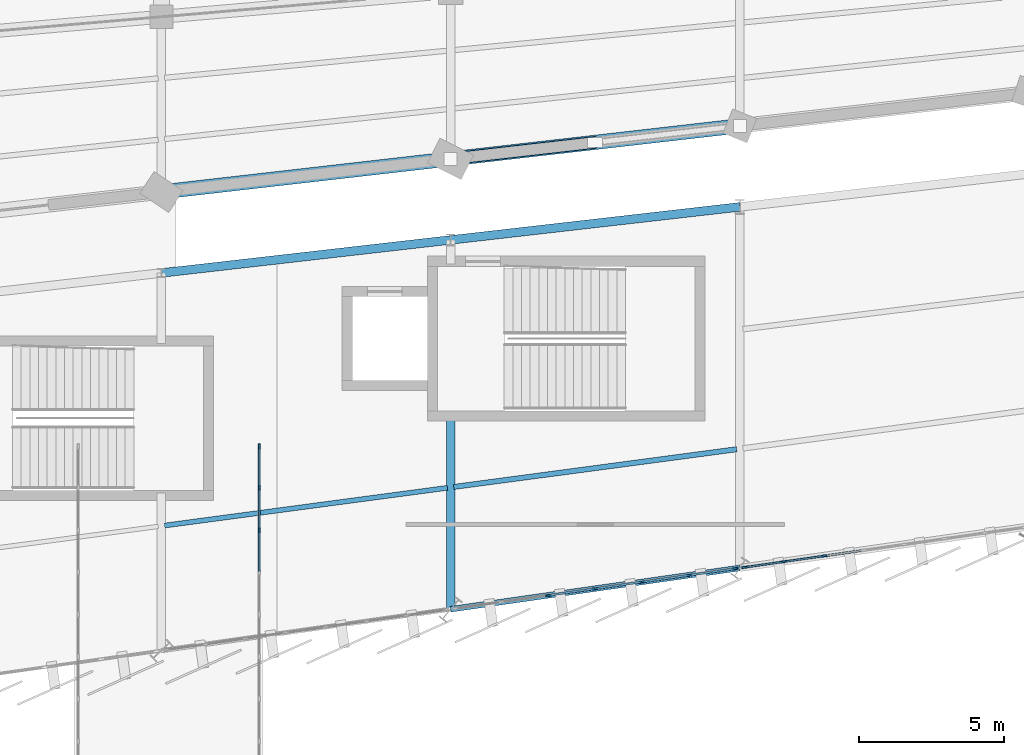
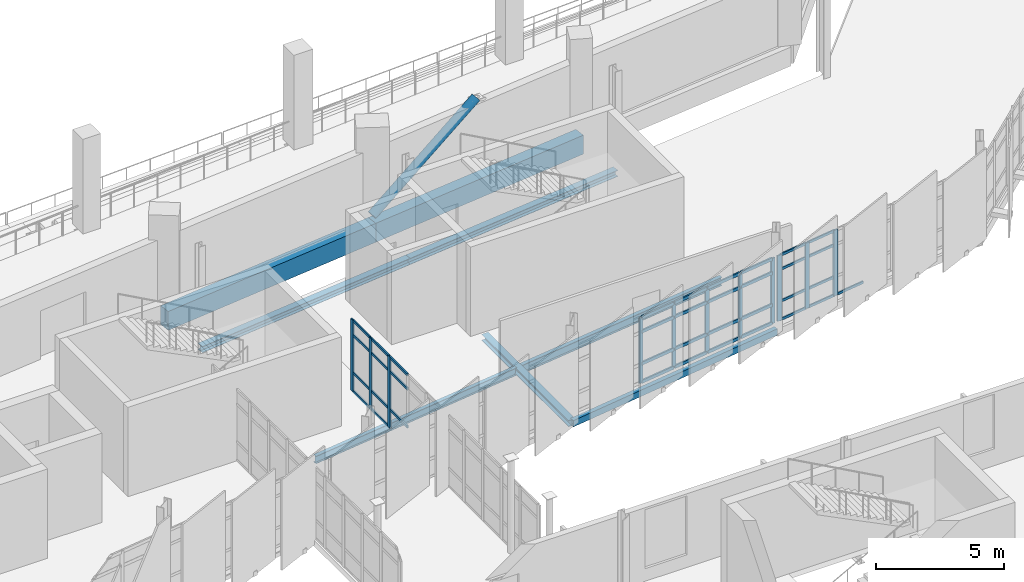
# One storey, part 63 of 134: 48 members, 8 beams, 3 elements without a shape of their own.
"""IFC4 building model written with IfcOpenShell, lengths in metres."""

from ifc_helpers import new_model, si_unit, direction, frame, origin, origin_2d, place, context, subcontext, project, spatial, rectangle, hollow_rectangle, hollow_circle, i_section, extrude, material, layer, layer_set, material_profile, profile_set, type_object, element, aggregate, save


model = new_model("IFC4")

# Units and contexts
model_context = context("Model", 3, precision=1e-05, world=origin(), true_north=direction((0.0, 1.0)))
body_context = subcontext(model_context, "Body", "Model", "MODEL_VIEW")
ifc_project = project(units=[si_unit("LENGTHUNIT", "METRE"), si_unit("AREAUNIT", "SQUARE_METRE"), si_unit("VOLUMEUNIT", "CUBIC_METRE"), si_unit("PLANEANGLEUNIT", "RADIAN"), si_unit("MASSUNIT", "GRAM", prefix="KILO")], contexts=[model_context])

# Site, building, storey
site_placement = place(None, origin())
site = spatial("IfcSite", under=ifc_project, at=site_placement, CompositionType="ELEMENT")
building_placement = place(site_placement, origin())
building = spatial("IfcBuilding", under=site, at=building_placement, Name="Sohan Crest Arena", CompositionType="ELEMENT")
storey_placement = place(building_placement, frame((0.0, 0.0, 4.5)))
storey = spatial("IfcBuildingStorey", under=building, at=storey_placement, Name="L01", CompositionType="ELEMENT", Elevation=4.5)

# Curtain wall, members
ifc_material_1 = material(Name="Thermally broken anodised aluminium", Category="aluminium")
ifc_layer_1 = layer(ifc_material_1, 0.2099609375, Name="Thermally broken anodised aluminium")
ifc_layer_set_1 = layer_set([ifc_layer_1], Name="Thermally broken anodised aluminium")
curtain_wall_type_1 = type_object("IfcCurtainWallType", Name="ARC-CW06", PredefinedType="NOTDEFINED", material=ifc_layer_set_1)
curtain_wall_1_placement = place(storey_placement, origin())
curtain_wall_1 = element("IfcCurtainWall", 1, at=curtain_wall_1_placement, inside=storey, type_object=curtain_wall_type_1, Name="Unitised curtain wall CW-035", PredefinedType="NOTDEFINED")
ifc_material_profile_1 = material_profile(ifc_material_1, rectangle(XDim=0.06494140625, YDim=0.179931640625, at=origin_2d()), Name="ALU-MULL 65x180")
ifc_profile_set_1 = profile_set([ifc_material_profile_1], Name="Thermally broken anodised aluminium")
member_type_1 = type_object("IfcMemberType", Name="ARC-CW-ML02", PredefinedType="MULLION", material=ifc_profile_set_1)
member_1_placement = place(storey_placement, frame((151.376220703125, 37.625, 0.0), z_axis=(0.0, 0.0, 1.0), x_axis=(-0.141449808729, 0.989945428602, 0.0)))
member_1 = element("IfcMember", 2, at=member_1_placement, type_object=member_type_1, Name="CW-035 mullion 3", PredefinedType="MULLION", context=body_context, shape_type="SweptSolid", body=[
    extrude(rectangle(XDim=0.06494140625, YDim=0.179931640625, at=origin_2d()), origin(), (0.0, 0.0, 1.0), 3.1201171875),
])
member_2_placement = place(storey_placement, frame((153.0, 37.85693359375, 0.0), z_axis=(0.0, 0.0, 1.0), x_axis=(-0.141449808729, 0.989945428602, 0.0)))
member_2 = element("IfcMember", 3, at=member_2_placement, type_object=member_type_1, Name="CW-035 mullion 4", PredefinedType="MULLION", context=body_context, shape_type="SweptSolid", body=[
    extrude(rectangle(XDim=0.06494140625, YDim=0.179931640625, at=origin_2d()), origin(), (0.0, 0.0, 1.0), 3.1201171875),
])
member_3_placement = place(storey_placement, frame((154.623779296875, 38.089111328125, 0.0), z_axis=(0.0, 0.0, 1.0), x_axis=(-0.141449808729, 0.989945428602, 0.0)))
member_3 = element("IfcMember", 4, at=member_3_placement, type_object=member_type_1, Name="CW-035 mullion 5", PredefinedType="MULLION", context=body_context, shape_type="SweptSolid", body=[
    extrude(rectangle(XDim=0.06494140625, YDim=0.179931640625, at=origin_2d()), origin(), (0.0, 0.0, 1.0), 3.1201171875),
])
member_4_placement = place(storey_placement, frame((156.247314453125, 38.321044921875, 0.0), z_axis=(0.0, 0.0, 1.0), x_axis=(-0.141449808729, 0.989945428602, 0.0)))
member_4 = element("IfcMember", 5, at=member_4_placement, type_object=member_type_1, Name="CW-035 mullion 6", PredefinedType="MULLION", context=body_context, shape_type="SweptSolid", body=[
    extrude(rectangle(XDim=0.06494140625, YDim=0.179931640625, at=origin_2d()), origin(), (0.0, 0.0, 1.0), 3.1201171875),
])
member_5_placement = place(storey_placement, frame((157.8388671875, 38.54833984375, 0.0), z_axis=(0.0, 0.0, 1.0), x_axis=(-0.141449808729, 0.989945428602, 0.0)))
member_5 = element("IfcMember", 6, at=member_5_placement, type_object=member_type_1, Name="CW-035 mullion 7", PredefinedType="MULLION", context=body_context, shape_type="SweptSolid", body=[
    extrude(rectangle(XDim=0.06494140625, YDim=0.179931640625, at=origin_2d()), origin(), (0.0, 0.0, 1.0), 3.1201171875),
])

ifc_layer_2 = layer(ifc_material_1, 0.18994140625, Name="Thermally broken anodised aluminium")
ifc_layer_set_2 = layer_set([ifc_layer_2], Name="Thermally broken anodised aluminium")
curtain_wall_type_2 = type_object("IfcCurtainWallType", Name="ARC-CW05", PredefinedType="NOTDEFINED", material=ifc_layer_set_2)
curtain_wall_2_placement = place(storey_placement, origin())
curtain_wall_2 = element("IfcCurtainWall", 7, at=curtain_wall_2_placement, inside=storey, type_object=curtain_wall_type_2, Name="Unitised curtain wall CW-256", PredefinedType="NOTDEFINED")
member_6_placement = place(storey_placement, frame((141.3798828125, 39.8798828125, 0.0), z_axis=(0.0, 0.0, 1.0), x_axis=(-1.0, 0.0, 0.0)))
member_6 = element("IfcMember", 8, at=member_6_placement, type_object=member_type_1, Name="CW-256 mullion 9", PredefinedType="MULLION", context=body_context, shape_type="SweptSolid", body=[
    extrude(rectangle(XDim=0.06494140625, YDim=0.179931640625, at=origin_2d()), origin(), (0.0, 0.0, 1.0), 3.39990234375),
])
member_7_placement = place(storey_placement, frame((141.3798828125, 41.340087890625, 0.0), z_axis=(0.0, 0.0, 1.0), x_axis=(-1.0, 0.0, 0.0)))
member_7 = element("IfcMember", 9, at=member_7_placement, type_object=member_type_1, Name="CW-256 mullion 10", PredefinedType="MULLION", context=body_context, shape_type="SweptSolid", body=[
    extrude(rectangle(XDim=0.06494140625, YDim=0.179931640625, at=origin_2d()), origin(), (0.0, 0.0, 1.0), 3.39990234375),
])
member_8_placement = place(storey_placement, frame((141.3798828125, 42.767578125, 0.0), z_axis=(0.0, 0.0, 1.0), x_axis=(-1.0, 0.0, 0.0)))
member_8 = element("IfcMember", 10, at=member_8_placement, type_object=member_type_1, Name="CW-256 mullion 11", PredefinedType="MULLION", context=body_context, shape_type="SweptSolid", body=[
    extrude(rectangle(XDim=0.06494140625, YDim=0.179931640625, at=origin_2d()), origin(), (0.0, 0.0, 1.0), 3.39990234375),
])

ifc_layer_3 = layer(ifc_material_1, 0.179931640625, Name="Thermally broken anodised aluminium")
ifc_layer_set_3 = layer_set([ifc_layer_3], Name="Thermally broken anodised aluminium")
curtain_wall_type_3 = type_object("IfcCurtainWallType", Name="ARC-CW01", PredefinedType="NOTDEFINED", material=ifc_layer_set_3)
curtain_wall_3_placement = place(storey_placement, origin())
curtain_wall_3 = element("IfcCurtainWall", 11, at=curtain_wall_3_placement, inside=storey, type_object=curtain_wall_type_3, Name="Unitised curtain wall CW-036", PredefinedType="NOTDEFINED")
ifc_material_profile_2 = material_profile(ifc_material_1, rectangle(XDim=0.070068359375, YDim=0.199951171875, at=origin_2d()), Name="ALU-MULL 70x200")
ifc_profile_set_2 = profile_set([ifc_material_profile_2], Name="Thermally broken anodised aluminium")
member_type_2 = type_object("IfcMemberType", Name="ARC-CW-ML03", PredefinedType="MULLION", material=ifc_profile_set_2)
member_9_placement = place(storey_placement, frame((158.16357421875, 38.593994140625, 0.0), z_axis=(0.0, 0.0, 1.0), x_axis=(-0.141549389674, 0.989931194722, 0.0)))
member_9 = element("IfcMember", 12, at=member_9_placement, type_object=member_type_2, Name="CW-036 mullion 1", PredefinedType="MULLION", context=body_context, shape_type="SweptSolid", body=[
    extrude(rectangle(XDim=0.070068359375, YDim=0.199951171875, at=origin_2d()), origin(), (0.0, 0.0, 1.0), 3.1201171875),
])
member_10_placement = place(storey_placement, frame((159.520751953125, 38.7880859375, 0.0), z_axis=(0.0, 0.0, 1.0), x_axis=(-0.141549389674, 0.989931194722, 0.0)))
member_10 = element("IfcMember", 13, at=member_10_placement, type_object=member_type_2, Name="CW-036 mullion 2", PredefinedType="MULLION", context=body_context, shape_type="SweptSolid", body=[
    extrude(rectangle(XDim=0.070068359375, YDim=0.199951171875, at=origin_2d()), origin(), (0.0, 0.0, 1.0), 3.1201171875),
])
member_11_placement = place(storey_placement, frame((160.912353515625, 38.987060546875, 0.0), z_axis=(0.0, 0.0, 1.0), x_axis=(-0.141549389674, 0.989931194722, 0.0)))
member_11 = element("IfcMember", 14, at=member_11_placement, type_object=member_type_2, Name="CW-036 mullion 3", PredefinedType="MULLION", context=body_context, shape_type="SweptSolid", body=[
    extrude(rectangle(XDim=0.070068359375, YDim=0.199951171875, at=origin_2d()), origin(), (0.0, 0.0, 1.0), 3.1201171875),
])
ifc_material_profile_3 = material_profile(ifc_material_1, rectangle(XDim=0.06005859375, YDim=0.1201171875, at=origin_2d()), Name="ALU-TRAN 60x120")
ifc_profile_set_3 = profile_set([ifc_material_profile_3], Name="Thermally broken anodised aluminium")
member_type_3 = type_object("IfcMemberType", Name="ARC-CW-TR01", PredefinedType="USERDEFINED", material=ifc_profile_set_3)
member_12_placement = place(storey_placement, frame((158.1982421875, 38.598876953125, 0.030029296875), z_axis=(0.989938230562, 0.141500175515, 0.0), x_axis=(-0.141500175515, 0.989938230562, 0.0)))
member_12 = element("IfcMember", 15, at=member_12_placement, type_object=member_type_3, Name="CW-036 transom 1.1", ObjectType="TRANSOM", PredefinedType="USERDEFINED", context=body_context, shape_type="SweptSolid", body=[
    extrude(rectangle(XDim=0.06005859375, YDim=0.1201171875, at=origin_2d()), origin(), (0.0, 0.0, 1.0), 1.301025390625),
])
member_13_placement = place(storey_placement, frame((158.1982421875, 38.598876953125, 0.89990234375), z_axis=(0.989938230562, 0.141500175515, 0.0), x_axis=(-0.141500175515, 0.989938230562, 0.0)))
member_13 = element("IfcMember", 16, at=member_13_placement, type_object=member_type_3, Name="CW-036 transom 1.2", ObjectType="TRANSOM", PredefinedType="USERDEFINED", context=body_context, shape_type="SweptSolid", body=[
    extrude(rectangle(XDim=0.06005859375, YDim=0.1201171875, at=origin_2d()), origin(), (0.0, 0.0, 1.0), 1.301025390625),
])
member_14_placement = place(storey_placement, frame((158.1982421875, 38.598876953125, 2.419921875), z_axis=(0.989938230562, 0.141500175515, 0.0), x_axis=(-0.141500175515, 0.989938230562, 0.0)))
member_14 = element("IfcMember", 17, at=member_14_placement, type_object=member_type_3, Name="CW-036 transom 1.3", ObjectType="TRANSOM", PredefinedType="USERDEFINED", context=body_context, shape_type="SweptSolid", body=[
    extrude(rectangle(XDim=0.06005859375, YDim=0.1201171875, at=origin_2d()), origin(), (0.0, 0.0, 1.0), 1.301025390625),
])
member_15_placement = place(storey_placement, frame((158.1982421875, 38.598876953125, 3.090087890625), z_axis=(0.989938230562, 0.141500175515, 0.0), x_axis=(-0.141500175515, 0.989938230562, 0.0)))
member_15 = element("IfcMember", 18, at=member_15_placement, type_object=member_type_3, Name="CW-036 transom 1.4", ObjectType="TRANSOM", PredefinedType="USERDEFINED", context=body_context, shape_type="SweptSolid", body=[
    extrude(rectangle(XDim=0.06005859375, YDim=0.1201171875, at=origin_2d()), origin(), (0.0, 0.0, 1.0), 1.301025390625),
])
member_16_placement = place(storey_placement, frame((159.555419921875, 38.79296875, 0.030029296875), z_axis=(0.989942181096, 0.141472534743, 0.0), x_axis=(-0.141472534743, 0.989942181096, 0.0)))
member_16 = element("IfcMember", 19, at=member_16_placement, type_object=member_type_3, Name="CW-036 transom 2.1", ObjectType="TRANSOM", PredefinedType="USERDEFINED", context=body_context, shape_type="SweptSolid", body=[
    extrude(rectangle(XDim=0.06005859375, YDim=0.1201171875, at=origin_2d()), origin(), (0.0, 0.0, 1.0), 1.335693359375),
])
member_17_placement = place(storey_placement, frame((159.555419921875, 38.79296875, 0.89990234375), z_axis=(0.989942181096, 0.141472534743, 0.0), x_axis=(-0.141472534743, 0.989942181096, 0.0)))
member_17 = element("IfcMember", 20, at=member_17_placement, type_object=member_type_3, Name="CW-036 transom 2.2", ObjectType="TRANSOM", PredefinedType="USERDEFINED", context=body_context, shape_type="SweptSolid", body=[
    extrude(rectangle(XDim=0.06005859375, YDim=0.1201171875, at=origin_2d()), origin(), (0.0, 0.0, 1.0), 1.335693359375),
])
member_18_placement = place(storey_placement, frame((159.555419921875, 38.79296875, 2.419921875), z_axis=(0.989942181096, 0.141472534743, 0.0), x_axis=(-0.141472534743, 0.989942181096, 0.0)))
member_18 = element("IfcMember", 21, at=member_18_placement, type_object=member_type_3, Name="CW-036 transom 2.3", ObjectType="TRANSOM", PredefinedType="USERDEFINED", context=body_context, shape_type="SweptSolid", body=[
    extrude(rectangle(XDim=0.06005859375, YDim=0.1201171875, at=origin_2d()), origin(), (0.0, 0.0, 1.0), 1.335693359375),
])
member_19_placement = place(storey_placement, frame((159.555419921875, 38.79296875, 3.090087890625), z_axis=(0.989942181096, 0.141472534743, 0.0), x_axis=(-0.141472534743, 0.989942181096, 0.0)))
member_19 = element("IfcMember", 22, at=member_19_placement, type_object=member_type_3, Name="CW-036 transom 2.4", ObjectType="TRANSOM", PredefinedType="USERDEFINED", context=body_context, shape_type="SweptSolid", body=[
    extrude(rectangle(XDim=0.06005859375, YDim=0.1201171875, at=origin_2d()), origin(), (0.0, 0.0, 1.0), 1.335693359375),
])
member_20_placement = place(storey_placement, frame((160.947021484375, 38.991943359375, 0.030029296875), z_axis=(0.989920233582, 0.141626025665, 0.0), x_axis=(-0.141626025665, 0.989920233582, 0.0)))
member_20 = element("IfcMember", 23, at=member_20_placement, type_object=member_type_3, Name="CW-036 transom 3.1", ObjectType="TRANSOM", PredefinedType="USERDEFINED", context=body_context, shape_type="SweptSolid", body=[
    extrude(rectangle(XDim=0.06005859375, YDim=0.1201171875, at=origin_2d()), origin(), (0.0, 0.0, 1.0), 1.3359375),
])
aggregate(curtain_wall_3, [member_9, member_10, member_11, member_12, member_13, member_14, member_15, member_16, member_17, member_18, member_19, member_20])

# Member
member_21_placement = place(storey_placement, frame((141.3798828125, 38.452392578125, 0.89990234375), z_axis=(0.0, 1.0, 0.0), x_axis=(-1.0, 0.0, 0.0)))
member_21 = element("IfcMember", 24, at=member_21_placement, type_object=member_type_3, Name="CW-256 transom 8.2", ObjectType="TRANSOM", PredefinedType="USERDEFINED", context=body_context, shape_type="SweptSolid", body=[
    extrude(rectangle(XDim=0.06005859375, YDim=0.1201171875, at=origin_2d()), origin(), (0.0, 0.0, 1.0), 1.39501953125),
])

member_22_placement = place(storey_placement, frame((141.3798828125, 38.452392578125, 2.699951171875), z_axis=(0.0, 1.0, 0.0), x_axis=(-1.0, 0.0, 0.0)))
member_22 = element("IfcMember", 25, at=member_22_placement, type_object=member_type_3, Name="CW-256 transom 8.3", ObjectType="TRANSOM", PredefinedType="USERDEFINED", context=body_context, shape_type="SweptSolid", body=[
    extrude(rectangle(XDim=0.06005859375, YDim=0.1201171875, at=origin_2d()), origin(), (0.0, 0.0, 1.0), 1.39501953125),
])

member_23_placement = place(storey_placement, frame((141.3798828125, 38.452392578125, 3.3701171875), z_axis=(0.0, 1.0, 0.0), x_axis=(-1.0, 0.0, 0.0)))
member_23 = element("IfcMember", 26, at=member_23_placement, type_object=member_type_3, Name="CW-256 transom 8.4", ObjectType="TRANSOM", PredefinedType="USERDEFINED", context=body_context, shape_type="SweptSolid", body=[
    extrude(rectangle(XDim=0.06005859375, YDim=0.1201171875, at=origin_2d()), origin(), (0.0, 0.0, 1.0), 1.39501953125),
])

member_24_placement = place(storey_placement, frame((141.3798828125, 39.91259765625, 0.030029296875), z_axis=(0.0, 1.0, 0.0), x_axis=(-1.0, 0.0, 0.0)))
member_24 = element("IfcMember", 27, at=member_24_placement, type_object=member_type_3, Name="CW-256 transom 9.1", ObjectType="TRANSOM", PredefinedType="USERDEFINED", context=body_context, shape_type="SweptSolid", body=[
    extrude(rectangle(XDim=0.06005859375, YDim=0.1201171875, at=origin_2d()), origin(), (0.0, 0.0, 1.0), 1.39501953125),
])

member_25_placement = place(storey_placement, frame((141.3798828125, 39.91259765625, 0.89990234375), z_axis=(0.0, 1.0, 0.0), x_axis=(-1.0, 0.0, 0.0)))
member_25 = element("IfcMember", 28, at=member_25_placement, type_object=member_type_3, Name="CW-256 transom 9.2", ObjectType="TRANSOM", PredefinedType="USERDEFINED", context=body_context, shape_type="SweptSolid", body=[
    extrude(rectangle(XDim=0.06005859375, YDim=0.1201171875, at=origin_2d()), origin(), (0.0, 0.0, 1.0), 1.39501953125),
])

member_26_placement = place(storey_placement, frame((141.3798828125, 39.91259765625, 2.699951171875), z_axis=(0.0, 1.0, 0.0), x_axis=(-1.0, 0.0, 0.0)))
member_26 = element("IfcMember", 29, at=member_26_placement, type_object=member_type_3, Name="CW-256 transom 9.3", ObjectType="TRANSOM", PredefinedType="USERDEFINED", context=body_context, shape_type="SweptSolid", body=[
    extrude(rectangle(XDim=0.06005859375, YDim=0.1201171875, at=origin_2d()), origin(), (0.0, 0.0, 1.0), 1.39501953125),
])

member_27_placement = place(storey_placement, frame((141.3798828125, 39.91259765625, 3.3701171875), z_axis=(0.0, 1.0, 0.0), x_axis=(-1.0, 0.0, 0.0)))
member_27 = element("IfcMember", 30, at=member_27_placement, type_object=member_type_3, Name="CW-256 transom 9.4", ObjectType="TRANSOM", PredefinedType="USERDEFINED", context=body_context, shape_type="SweptSolid", body=[
    extrude(rectangle(XDim=0.06005859375, YDim=0.1201171875, at=origin_2d()), origin(), (0.0, 0.0, 1.0), 1.39501953125),
])

member_28_placement = place(storey_placement, frame((141.3798828125, 41.37255859375, 0.030029296875), z_axis=(0.0, 1.0, 0.0), x_axis=(-1.0, 0.0, 0.0)))
member_28 = element("IfcMember", 31, at=member_28_placement, type_object=member_type_3, Name="CW-256 transom 10.1", ObjectType="TRANSOM", PredefinedType="USERDEFINED", context=body_context, shape_type="SweptSolid", body=[
    extrude(rectangle(XDim=0.06005859375, YDim=0.1201171875, at=origin_2d()), origin(), (0.0, 0.0, 1.0), 1.362548828125),
])

member_29_placement = place(storey_placement, frame((141.3798828125, 41.37255859375, 0.89990234375), z_axis=(0.0, 1.0, 0.0), x_axis=(-1.0, 0.0, 0.0)))
member_29 = element("IfcMember", 32, at=member_29_placement, type_object=member_type_3, Name="CW-256 transom 10.2", ObjectType="TRANSOM", PredefinedType="USERDEFINED", context=body_context, shape_type="SweptSolid", body=[
    extrude(rectangle(XDim=0.06005859375, YDim=0.1201171875, at=origin_2d()), origin(), (0.0, 0.0, 1.0), 1.362548828125),
])

member_30_placement = place(storey_placement, frame((141.3798828125, 41.37255859375, 2.699951171875), z_axis=(0.0, 1.0, 0.0), x_axis=(-1.0, 0.0, 0.0)))
member_30 = element("IfcMember", 33, at=member_30_placement, type_object=member_type_3, Name="CW-256 transom 10.3", ObjectType="TRANSOM", PredefinedType="USERDEFINED", context=body_context, shape_type="SweptSolid", body=[
    extrude(rectangle(XDim=0.06005859375, YDim=0.1201171875, at=origin_2d()), origin(), (0.0, 0.0, 1.0), 1.362548828125),
])

member_31_placement = place(storey_placement, frame((141.3798828125, 41.37255859375, 3.3701171875), z_axis=(0.0, 1.0, 0.0), x_axis=(-1.0, 0.0, 0.0)))
member_31 = element("IfcMember", 34, at=member_31_placement, type_object=member_type_3, Name="CW-256 transom 10.4", ObjectType="TRANSOM", PredefinedType="USERDEFINED", context=body_context, shape_type="SweptSolid", body=[
    extrude(rectangle(XDim=0.06005859375, YDim=0.1201171875, at=origin_2d()), origin(), (0.0, 0.0, 1.0), 1.362548828125),
])

aggregate(curtain_wall_2, [member_6, member_7, member_8, member_21, member_22, member_23, member_24, member_25, member_26, member_27, member_28, member_29, member_30, member_31])

ifc_material_profile_4 = material_profile(ifc_material_1, rectangle(XDim=0.070068359375, YDim=0.14990234375, at=origin_2d()), Name="ALU-TRAN 70x150")
ifc_profile_set_4 = profile_set([ifc_material_profile_4], Name="Thermally broken anodised aluminium")
member_type_4 = type_object("IfcMemberType", Name="ARC-CW-TR03", PredefinedType="USERDEFINED", material=ifc_profile_set_4)
member_32_placement = place(storey_placement, frame((151.408447265625, 37.629638671875, 0.034912109375), z_axis=(0.989958791275, 0.141356257655, 0.0), x_axis=(-0.141356257655, 0.989958791275, 0.0)))
member_32 = element("IfcMember", 35, at=member_32_placement, type_object=member_type_4, Name="CW-035 transom 3.1", ObjectType="TRANSOM", PredefinedType="USERDEFINED", context=body_context, shape_type="SweptSolid", body=[
    extrude(rectangle(XDim=0.070068359375, YDim=0.14990234375, at=origin_2d()), origin(), (0.0, 0.0, 1.0), 1.5751953125),
])

member_33_placement = place(storey_placement, frame((151.408447265625, 37.629638671875, 0.89990234375), z_axis=(0.989958791275, 0.141356257655, 0.0), x_axis=(-0.141356257655, 0.989958791275, 0.0)))
member_33 = element("IfcMember", 36, at=member_33_placement, type_object=member_type_4, Name="CW-035 transom 3.2", ObjectType="TRANSOM", PredefinedType="USERDEFINED", context=body_context, shape_type="SweptSolid", body=[
    extrude(rectangle(XDim=0.070068359375, YDim=0.14990234375, at=origin_2d()), origin(), (0.0, 0.0, 1.0), 1.5751953125),
])

member_34_placement = place(storey_placement, frame((151.408447265625, 37.629638671875, 2.419921875), z_axis=(0.989958791275, 0.141356257655, 0.0), x_axis=(-0.141356257655, 0.989958791275, 0.0)))
member_34 = element("IfcMember", 37, at=member_34_placement, type_object=member_type_4, Name="CW-035 transom 3.3", ObjectType="TRANSOM", PredefinedType="USERDEFINED", context=body_context, shape_type="SweptSolid", body=[
    extrude(rectangle(XDim=0.070068359375, YDim=0.14990234375, at=origin_2d()), origin(), (0.0, 0.0, 1.0), 1.5751953125),
])

member_35_placement = place(storey_placement, frame((151.408447265625, 37.629638671875, 3.0849609375), z_axis=(0.989958791275, 0.141356257655, 0.0), x_axis=(-0.141356257655, 0.989958791275, 0.0)))
member_35 = element("IfcMember", 38, at=member_35_placement, type_object=member_type_4, Name="CW-035 transom 3.4", ObjectType="TRANSOM", PredefinedType="USERDEFINED", context=body_context, shape_type="SweptSolid", body=[
    extrude(rectangle(XDim=0.070068359375, YDim=0.14990234375, at=origin_2d()), origin(), (0.0, 0.0, 1.0), 1.5751953125),
])

member_36_placement = place(storey_placement, frame((153.0322265625, 37.861572265625, 0.034912109375), z_axis=(0.989937090456, 0.141508151493, 0.0), x_axis=(-0.141508151493, 0.989937090456, 0.0)))
member_36 = element("IfcMember", 39, at=member_36_placement, type_object=member_type_4, Name="CW-035 transom 4.1", ObjectType="TRANSOM", PredefinedType="USERDEFINED", context=body_context, shape_type="SweptSolid", body=[
    extrude(rectangle(XDim=0.070068359375, YDim=0.14990234375, at=origin_2d()), origin(), (0.0, 0.0, 1.0), 1.5751953125),
])

member_37_placement = place(storey_placement, frame((153.0322265625, 37.861572265625, 0.89990234375), z_axis=(0.989937090456, 0.141508151493, 0.0), x_axis=(-0.141508151493, 0.989937090456, 0.0)))
member_37 = element("IfcMember", 40, at=member_37_placement, type_object=member_type_4, Name="CW-035 transom 4.2", ObjectType="TRANSOM", PredefinedType="USERDEFINED", context=body_context, shape_type="SweptSolid", body=[
    extrude(rectangle(XDim=0.070068359375, YDim=0.14990234375, at=origin_2d()), origin(), (0.0, 0.0, 1.0), 1.5751953125),
])

member_38_placement = place(storey_placement, frame((153.0322265625, 37.861572265625, 2.419921875), z_axis=(0.989937090456, 0.141508151493, 0.0), x_axis=(-0.141508151493, 0.989937090456, 0.0)))
member_38 = element("IfcMember", 41, at=member_38_placement, type_object=member_type_4, Name="CW-035 transom 4.3", ObjectType="TRANSOM", PredefinedType="USERDEFINED", context=body_context, shape_type="SweptSolid", body=[
    extrude(rectangle(XDim=0.070068359375, YDim=0.14990234375, at=origin_2d()), origin(), (0.0, 0.0, 1.0), 1.5751953125),
])

member_39_placement = place(storey_placement, frame((153.0322265625, 37.861572265625, 3.0849609375), z_axis=(0.989937090456, 0.141508151493, 0.0), x_axis=(-0.141508151493, 0.989937090456, 0.0)))
member_39 = element("IfcMember", 42, at=member_39_placement, type_object=member_type_4, Name="CW-035 transom 4.4", ObjectType="TRANSOM", PredefinedType="USERDEFINED", context=body_context, shape_type="SweptSolid", body=[
    extrude(rectangle(XDim=0.070068359375, YDim=0.14990234375, at=origin_2d()), origin(), (0.0, 0.0, 1.0), 1.5751953125),
])

member_40_placement = place(storey_placement, frame((154.65576171875, 38.093505859375, 0.034912109375), z_axis=(0.989937090456, 0.141508151493, 0.0), x_axis=(-0.141508151493, 0.989937090456, 0.0)))
member_40 = element("IfcMember", 43, at=member_40_placement, type_object=member_type_4, Name="CW-035 transom 5.1", ObjectType="TRANSOM", PredefinedType="USERDEFINED", context=body_context, shape_type="SweptSolid", body=[
    extrude(rectangle(XDim=0.070068359375, YDim=0.14990234375, at=origin_2d()), origin(), (0.0, 0.0, 1.0), 1.5751953125),
])

member_41_placement = place(storey_placement, frame((154.65576171875, 38.093505859375, 0.89990234375), z_axis=(0.989937090456, 0.141508151493, 0.0), x_axis=(-0.141508151493, 0.989937090456, 0.0)))
member_41 = element("IfcMember", 44, at=member_41_placement, type_object=member_type_4, Name="CW-035 transom 5.2", ObjectType="TRANSOM", PredefinedType="USERDEFINED", context=body_context, shape_type="SweptSolid", body=[
    extrude(rectangle(XDim=0.070068359375, YDim=0.14990234375, at=origin_2d()), origin(), (0.0, 0.0, 1.0), 1.5751953125),
])

member_42_placement = place(storey_placement, frame((154.65576171875, 38.093505859375, 2.419921875), z_axis=(0.989937090456, 0.141508151493, 0.0), x_axis=(-0.141508151493, 0.989937090456, 0.0)))
member_42 = element("IfcMember", 45, at=member_42_placement, type_object=member_type_4, Name="CW-035 transom 5.3", ObjectType="TRANSOM", PredefinedType="USERDEFINED", context=body_context, shape_type="SweptSolid", body=[
    extrude(rectangle(XDim=0.070068359375, YDim=0.14990234375, at=origin_2d()), origin(), (0.0, 0.0, 1.0), 1.5751953125),
])

member_43_placement = place(storey_placement, frame((154.65576171875, 38.093505859375, 3.0849609375), z_axis=(0.989937090456, 0.141508151493, 0.0), x_axis=(-0.141508151493, 0.989937090456, 0.0)))
member_43 = element("IfcMember", 46, at=member_43_placement, type_object=member_type_4, Name="CW-035 transom 5.4", ObjectType="TRANSOM", PredefinedType="USERDEFINED", context=body_context, shape_type="SweptSolid", body=[
    extrude(rectangle(XDim=0.070068359375, YDim=0.14990234375, at=origin_2d()), origin(), (0.0, 0.0, 1.0), 1.5751953125),
])

member_44_placement = place(storey_placement, frame((156.279541015625, 38.32568359375, 0.034912109375), z_axis=(0.98996215108, 0.141332725966, 0.0), x_axis=(-0.141332725966, 0.98996215108, 0.0)))
member_44 = element("IfcMember", 47, at=member_44_placement, type_object=member_type_4, Name="CW-035 transom 6.1", ObjectType="TRANSOM", PredefinedType="USERDEFINED", context=body_context, shape_type="SweptSolid", body=[
    extrude(rectangle(XDim=0.070068359375, YDim=0.14990234375, at=origin_2d()), origin(), (0.0, 0.0, 1.0), 1.54248046875),
])

member_45_placement = place(storey_placement, frame((156.279541015625, 38.32568359375, 0.89990234375), z_axis=(0.98996215108, 0.141332725966, 0.0), x_axis=(-0.141332725966, 0.98996215108, 0.0)))
member_45 = element("IfcMember", 48, at=member_45_placement, type_object=member_type_4, Name="CW-035 transom 6.2", ObjectType="TRANSOM", PredefinedType="USERDEFINED", context=body_context, shape_type="SweptSolid", body=[
    extrude(rectangle(XDim=0.070068359375, YDim=0.14990234375, at=origin_2d()), origin(), (0.0, 0.0, 1.0), 1.54248046875),
])

member_46_placement = place(storey_placement, frame((156.279541015625, 38.32568359375, 2.419921875), z_axis=(0.98996215108, 0.141332725966, 0.0), x_axis=(-0.141332725966, 0.98996215108, 0.0)))
member_46 = element("IfcMember", 49, at=member_46_placement, type_object=member_type_4, Name="CW-035 transom 6.3", ObjectType="TRANSOM", PredefinedType="USERDEFINED", context=body_context, shape_type="SweptSolid", body=[
    extrude(rectangle(XDim=0.070068359375, YDim=0.14990234375, at=origin_2d()), origin(), (0.0, 0.0, 1.0), 1.54248046875),
])

member_47_placement = place(storey_placement, frame((156.279541015625, 38.32568359375, 3.0849609375), z_axis=(0.98996215108, 0.141332725966, 0.0), x_axis=(-0.141332725966, 0.98996215108, 0.0)))
member_47 = element("IfcMember", 50, at=member_47_placement, type_object=member_type_4, Name="CW-035 transom 6.4", ObjectType="TRANSOM", PredefinedType="USERDEFINED", context=body_context, shape_type="SweptSolid", body=[
    extrude(rectangle(XDim=0.070068359375, YDim=0.14990234375, at=origin_2d()), origin(), (0.0, 0.0, 1.0), 1.54248046875),
])

aggregate(curtain_wall_1, [member_1, member_2, member_3, member_4, member_5, member_32, member_33, member_34, member_35, member_36, member_37, member_38, member_39, member_40, member_41, member_42, member_43, member_44, member_45, member_46, member_47])

# Beams
ifc_material_2 = material(Name="Steel S355", Category="steel")
ifc_material_profile_5 = material_profile(ifc_material_2, i_section(OverallWidth=0.169921875, OverallDepth=0.360107421875, WebThickness=0.008056640625, FlangeThickness=0.0126953125, at=origin_2d()), Name="IPE 360")
ifc_profile_set_5 = profile_set([ifc_material_profile_5], Name="Steel S355")
beam_type_1 = type_object("IfcBeamType", Name="STR-BM-B02", PredefinedType="JOIST", material=ifc_profile_set_5)
beam_1_placement = place(storey_placement, frame((138.10888671875, 40.0380859375, -0.455078125), z_axis=(0.991232437337, 0.132129690721, 0.0), x_axis=(-0.132129690721, 0.991232437337, 0.0)))
element("IfcBeam", 51, at=beam_1_placement, inside=storey, type_object=beam_type_1, Name="Structural beam J-L01-1161", PredefinedType="JOIST", context=body_context, shape_type="SweptSolid", body=[
    extrude(i_section(OverallWidth=0.169921875, OverallDepth=0.360107421875, WebThickness=0.008056640625, FlangeThickness=0.0126953125, at=origin_2d()), origin(), (0.0, 0.0, 1.0), 9.86865234375),
])
ifc_material_profile_6 = material_profile(ifc_material_2, i_section(OverallWidth=0.179931640625, OverallDepth=0.39990234375, WebThickness=0.008544921875, FlangeThickness=0.013427734375, at=origin_2d()), Name="IPE 400")
ifc_profile_set_6 = profile_set([ifc_material_profile_6], Name="Steel S355")
beam_type_2 = type_object("IfcBeamType", Name="STR-BM-B03", PredefinedType="JOIST", material=ifc_profile_set_6)
beam_2_placement = place(storey_placement, frame((148.10888671875, 41.3720703125, -0.47509765625), z_axis=(0.991232437337, 0.132129690721, 0.0), x_axis=(-0.132129690721, 0.991232437337, 0.0)))
element("IfcBeam", 52, at=beam_2_placement, inside=storey, type_object=beam_type_2, Name="Structural beam J-L01-1166", PredefinedType="JOIST", context=body_context, shape_type="SweptSolid", body=[
    extrude(i_section(OverallWidth=0.179931640625, OverallDepth=0.39990234375, WebThickness=0.008544921875, FlangeThickness=0.013427734375, at=origin_2d()), origin(), (0.0, 0.0, 1.0), 9.86865234375),
])
ifc_material_profile_7 = material_profile(ifc_material_2, i_section(OverallWidth=0.300048828125, OverallDepth=0.300048828125, WebThickness=0.010986328125, FlangeThickness=0.01904296875, at=origin_2d()), Name="HEB 300")
ifc_profile_set_7 = profile_set([ifc_material_profile_7], Name="Steel S355")
beam_type_3 = type_object("IfcBeamType", Name="STR-BM-B12", PredefinedType="BEAM", material=ifc_profile_set_7)
beam_3_placement = place(storey_placement, frame((138.0, 48.77099609375, -0.425048828125), z_axis=(0.99353032697, 0.113567114035, 0.0), x_axis=(-0.113567114035, 0.99353032697, 0.0)))
element("IfcBeam", 53, at=beam_3_placement, inside=storey, type_object=beam_type_3, Name="Structural beam G-L01-1159", PredefinedType="BEAM", context=body_context, shape_type="SweptSolid", body=[
    extrude(i_section(OverallWidth=0.300048828125, OverallDepth=0.300048828125, WebThickness=0.010986328125, FlangeThickness=0.01904296875, at=origin_2d()), origin(), (0.0, 0.0, 1.0), 10.065185546875),
])
beam_4_placement = place(storey_placement, frame((148.0, 43.919921875, -0.425048828125), z_axis=(0.0, -1.0, 0.0), x_axis=(1.0, 0.0, 0.0)))
element("IfcBeam", 54, at=beam_4_placement, inside=storey, type_object=beam_type_3, Name="Structural beam G-L01-1163", PredefinedType="BEAM", context=body_context, shape_type="SweptSolid", body=[
    extrude(i_section(OverallWidth=0.300048828125, OverallDepth=0.300048828125, WebThickness=0.010986328125, FlangeThickness=0.01904296875, at=origin_2d()), origin(), (0.0, 0.0, 1.0), 6.77685546875),
])
beam_5_placement = place(storey_placement, frame((148.0, 49.9140625, -0.425048828125), z_axis=(0.993533063564, 0.113543170668, 0.0), x_axis=(-0.113543170668, 0.993533063564, 0.0)))
element("IfcBeam", 55, at=beam_5_placement, inside=storey, type_object=beam_type_3, Name="Structural beam G-L01-1164", PredefinedType="BEAM", context=body_context, shape_type="SweptSolid", body=[
    extrude(i_section(OverallWidth=0.300048828125, OverallDepth=0.300048828125, WebThickness=0.010986328125, FlangeThickness=0.01904296875, at=origin_2d()), origin(), (0.0, 0.0, 1.0), 10.065185546875),
])
ifc_material_profile_8 = material_profile(ifc_material_2, hollow_rectangle(XDim=0.199951171875, YDim=0.300048828125, WallThickness=0.010009765625, at=origin_2d()), Name="RHS 300x200x10")
ifc_profile_set_8 = profile_set([ifc_material_profile_8], Name="Steel S355")
beam_type_4 = type_object("IfcBeamType", Name="STR-BM-SP03", PredefinedType="SPANDREL", material=ifc_profile_set_8)
beam_6_placement = place(storey_placement, frame((148.0, 37.14306640625, -0.425048828125), z_axis=(0.989957709412, 0.141363834042, 0.0), x_axis=(-0.141363834042, 0.989957709412, 0.0)))
element("IfcBeam", 56, at=beam_6_placement, inside=storey, type_object=beam_type_4, Name="Structural beam SP-L01-1165", PredefinedType="SPANDREL", context=body_context, shape_type="SweptSolid", body=[
    extrude(hollow_rectangle(XDim=0.199951171875, YDim=0.300048828125, WallThickness=0.010009765625, at=origin_2d()), origin(), (0.0, 0.0, 1.0), 10.1015625),
])
ifc_material_3 = material(Name="Concrete C40/50", Category="concrete")
ifc_material_profile_9 = material_profile(ifc_material_3, rectangle(XDim=0.5, YDim=0.89990234375, at=origin_2d()), Name="RC-BM 500x900")
ifc_profile_set_9 = profile_set([ifc_material_profile_9], Name="Concrete C40/50")
beam_type_5 = type_object("IfcBeamType", Name="STR-BM-TB03", PredefinedType="BEAM", material=ifc_profile_set_9)
for number, where, z_axis, x_axis, name in (
    (57, (138.0, 51.571044921875, -0.699951171875), (0.99353032697, 0.113567114035, 0.0), (-0.113567114035, 0.99353032697, 0.0), "Structural beam TB-L01-0417"),
    (58, (148.0, 52.714111328125, -0.699951171875), (0.993533063564, 0.113543170668, 0.0), (-0.113543170668, 0.993533063564, 0.0), "Structural beam TB-L01-0439"),
):
    element("IfcBeam", number, at=place(storey_placement, frame(where, z_axis=z_axis, x_axis=x_axis)), inside=storey, type_object=beam_type_5, Name=name, PredefinedType="BEAM", context=body_context, shape_type="SweptSolid", body=[
        extrude(rectangle(XDim=0.5, YDim=0.89990234375, at=origin_2d()), origin(), (0.0, 0.0, 1.0), 10.065185546875),
    ])

# Member
ifc_material_profile_10 = material_profile(ifc_material_2, hollow_circle(Radius=0.203125, WallThickness=0.01611328125, at=origin_2d()), Name="CHS 406.4x16")
ifc_profile_set_10 = profile_set([ifc_material_profile_10], Name="Steel S355")
member_type_5 = type_object("IfcMemberType", Name="STR-MEM-BR05", PredefinedType="BRACE", material=ifc_profile_set_10)
member_48_placement = place(storey_placement, frame((148.0, 52.714111328125, 0.0), z_axis=(0.815672477088, 0.093117297433, 0.570970733961), x_axis=(-0.113423450863, 0.993546738103, 0.0)))
element("IfcMember", 59, at=member_48_placement, inside=storey, type_object=member_type_5, Name="Concentric lateral chevron brace BR-019", PredefinedType="BRACE", context=body_context, shape_type="SweptSolid", body=[
    extrude(hollow_circle(Radius=0.203125, WallThickness=0.01611328125, at=origin_2d()), origin(), (0.0, 0.0, 1.0), 6.1298828125),
])

save(model, "model.ifc")
